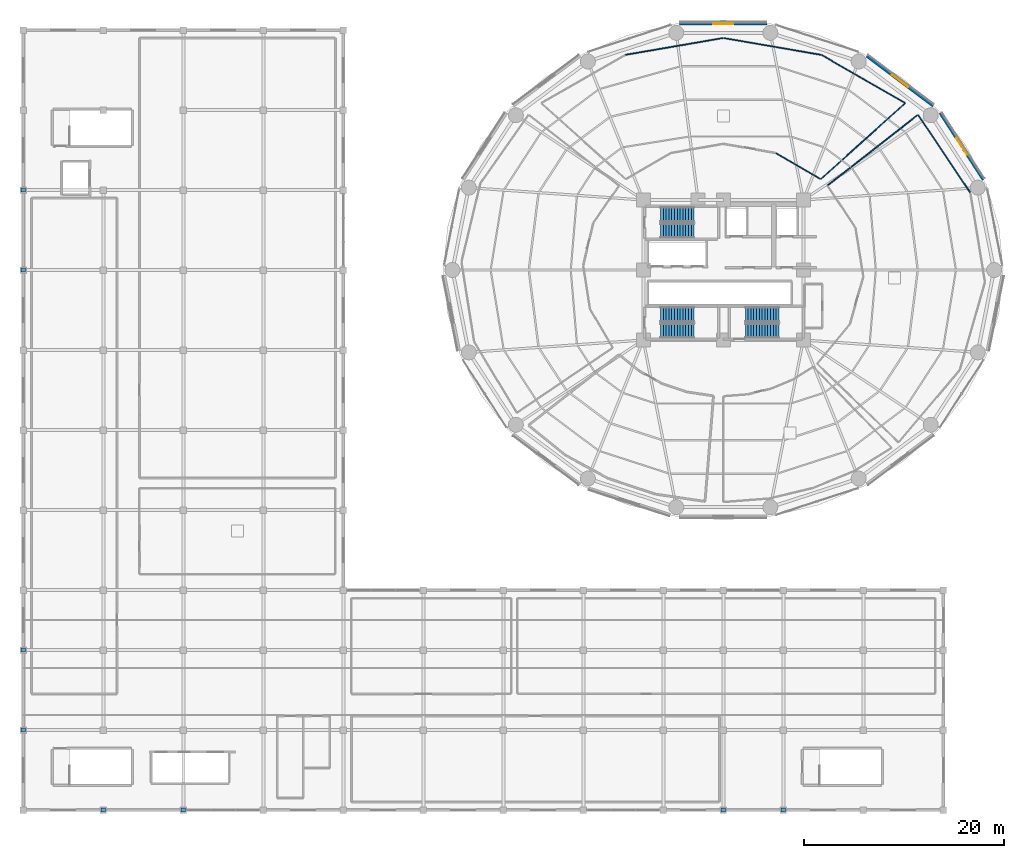
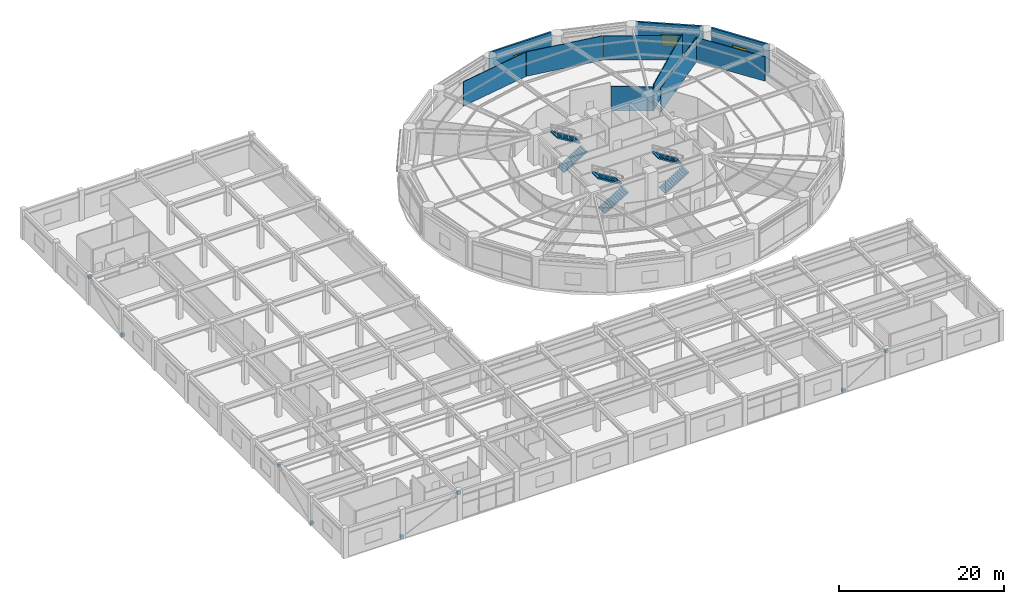
# One storey, part 41 of 46: 10 walls, 8 discrete accessories, 6 stair flights, 3 windows, 3 openings, 3 elements without a shape of their own.
"""IFC4 building model written with IfcOpenShell, lengths in metres."""

from ifc_helpers import new_model, si_unit, direction, frame, frame_2d, origin, origin_2d, place, context, subcontext, project, spatial, polyline, rectangle, outline, extrude, source, transform, mapped, material, layer, layer_set, type_object, element, fill, aggregate, save


model = new_model("IFC4")

# Units and contexts
model_context = context("Model", 3, precision=1e-05, world=origin(), true_north=direction((0.0, 1.0)))
body_context = subcontext(model_context, "Body", "Model", "MODEL_VIEW")
ifc_project = project(units=[si_unit("LENGTHUNIT", "METRE"), si_unit("AREAUNIT", "SQUARE_METRE"), si_unit("VOLUMEUNIT", "CUBIC_METRE"), si_unit("PLANEANGLEUNIT", "RADIAN"), si_unit("MASSUNIT", "GRAM", prefix="KILO")], contexts=[model_context])

# Site, building, storey
site_placement = place(None, origin())
site = spatial("IfcSite", under=ifc_project, at=site_placement, CompositionType="ELEMENT")
building_placement = place(site_placement, origin())
building = spatial("IfcBuilding", under=site, at=building_placement, Name="Kelanora Arch Commons", CompositionType="ELEMENT")
storey_placement = place(building_placement, frame((0.0, 0.0, 18.0)))
storey = spatial("IfcBuildingStorey", under=building, at=storey_placement, Name="L04", CompositionType="ELEMENT", Elevation=18.0)

# Wall, opening, window
ifc_material_1 = material(Name="Precast concrete C40/50 with terracotta rainscreen", Category="masonry")
ifc_layer_1 = layer(ifc_material_1, 0.260009765625)
ifc_layer_set_1 = layer_set([ifc_layer_1], Name="Precast concrete C40/50 with terracotta rainscreen")
wall_type_1 = type_object("IfcWallType", Name="W-EXT-TC", PredefinedType="SOLIDWALL", material=ifc_layer_set_1)
wall_1_placement = place(storey_placement, frame((99.999267578125, 67.033203125, 0.0), z_axis=(0.0, 0.0, 1.0), x_axis=(-0.543005114258, 0.839729388488, 0.0)))
wall_1 = element("IfcWall", 1, at=wall_1_placement, inside=storey, type_object=wall_type_1, Name="Terracotta Exterior Wall L04-B01", PredefinedType="SOLIDWALL", context=body_context, shape_type="SweptSolid", body=[
    extrude(rectangle(XDim=7.9375, YDim=0.260009765625, at=frame_2d((3.96875, 0.0))), origin(), (0.0, 0.0, 1.0), 4.22509765625),
])
opening_1_placement = place(wall_1_placement, frame((2.968994140625, 0.0, 0.85009765625)))
opening_1 = element("IfcOpeningElement", 2, at=opening_1_placement, cuts=wall_1, Name="Opening WN-05", PredefinedType="OPENING", context=body_context, shape_type="SweptSolid", body=[
    extrude(rectangle(XDim=2.0, YDim=1.75, at=frame_2d((1.0, 0.875))), frame((0.0, 0.14013671875, 0.0), z_axis=(0.0, -1.0, 0.0), x_axis=(1.0, 0.0, 0.0)), (0.0, 0.0, 1.0), 0.280029296875),
])
ifc_material_2 = material(Name="Terracotta-anodised aluminium podium window", Category="masonry")
window_type = type_object("IfcWindowType", Name="WIN-POD-20", PartitioningType="TRIPLE_PANEL_VERTICAL", PredefinedType="WINDOW", material=ifc_material_2)
window_1_placement = place(opening_1_placement, origin())
window_1 = element("IfcWindow", 3, at=window_1_placement, inside=storey, type_object=window_type, Name="Podium Window L04-B01", OverallHeight=1.75, OverallWidth=2.0, PartitioningType="SINGLE_PANEL", PredefinedType="WINDOW", context=body_context, shape_type="SweptSolid", body=[
    extrude(rectangle(XDim=2.0, YDim=1.75, at=frame_2d((1.0, 0.875))), frame((0.0, 0.030029296875, 0.0), z_axis=(0.0, -1.0, 0.0), x_axis=(1.0, 0.0, 0.0)), (0.0, 0.0, 1.0), 0.06005859375),
])
fill(opening_1, window_1)

wall_2_placement = place(storey_placement, frame((94.98388671875, 74.418212890625, 0.0), z_axis=(0.0, 0.0, 1.0), x_axis=(-0.80030733173, 0.599590005569, 0.0)))
wall_2 = element("IfcWall", 4, at=wall_2_placement, inside=storey, type_object=wall_type_1, Name="Terracotta Exterior Wall L04-B02", PredefinedType="SOLIDWALL", context=body_context, shape_type="SweptSolid", body=[
    extrude(rectangle(XDim=8.29052734375, YDim=0.260009765625, at=frame_2d((4.145263671875, 0.0))), origin(), (0.0, 0.0, 1.0), 4.22509765625),
])
opening_2_placement = place(wall_2_placement, frame((3.14501953125, 0.0, 0.85009765625)))
opening_2 = element("IfcOpeningElement", 5, at=opening_2_placement, cuts=wall_2, Name="Opening WN-05", PredefinedType="OPENING", context=body_context, shape_type="SweptSolid", body=[
    extrude(rectangle(XDim=2.0, YDim=1.75, at=frame_2d((1.0, 0.875))), frame((0.0, 0.14013671875, 0.0), z_axis=(0.0, -1.0, 0.0), x_axis=(1.0, 0.0, 0.0)), (0.0, 0.0, 1.0), 0.280029296875),
])
window_2_placement = place(opening_2_placement, origin())
window_2 = element("IfcWindow", 6, at=window_2_placement, inside=storey, type_object=window_type, Name="Podium Window L04-B02", OverallHeight=1.75, OverallWidth=2.0, PartitioningType="SINGLE_PANEL", PredefinedType="WINDOW", context=body_context, shape_type="SweptSolid", body=[
    extrude(rectangle(XDim=2.0, YDim=1.75, at=frame_2d((1.0, 0.875))), frame((0.0, 0.030029296875, 0.0), z_axis=(0.0, -1.0, 0.0), x_axis=(1.0, 0.0, 0.0)), (0.0, 0.0, 1.0), 0.06005859375),
])
fill(opening_2, window_2)

wall_3_placement = place(storey_placement, frame((78.35595703125, 82.6201171875, 0.0), z_axis=(0.0, 0.0, 1.0), x_axis=(-1.0, 0.0, 0.0)))
wall_3 = element("IfcWall", 7, at=wall_3_placement, inside=storey, type_object=wall_type_1, Name="Terracotta Exterior Wall L04-B04", PredefinedType="SOLIDWALL", context=body_context, shape_type="SweptSolid", body=[
    extrude(rectangle(XDim=8.7119140625, YDim=0.260009765625, at=frame_2d((4.35595703125, 0.0))), origin(), (0.0, 0.0, 1.0), 4.22509765625),
])
opening_3_placement = place(wall_3_placement, frame((3.35595703125, 0.0, 0.85009765625)))
opening_3 = element("IfcOpeningElement", 8, at=opening_3_placement, cuts=wall_3, Name="Opening WN-05", PredefinedType="OPENING", context=body_context, shape_type="SweptSolid", body=[
    extrude(rectangle(XDim=2.0, YDim=1.75, at=frame_2d((1.0, 0.875))), frame((0.0, 0.14013671875, 0.0), z_axis=(0.0, -1.0, 0.0), x_axis=(1.0, 0.0, 0.0)), (0.0, 0.0, 1.0), 0.280029296875),
])
window_3_placement = place(opening_3_placement, origin())
window_3 = element("IfcWindow", 9, at=window_3_placement, inside=storey, type_object=window_type, Name="Podium Window L04-B04", OverallHeight=1.75, OverallWidth=2.0, PartitioningType="SINGLE_PANEL", PredefinedType="WINDOW", context=body_context, shape_type="SweptSolid", body=[
    extrude(rectangle(XDim=2.0, YDim=1.75, at=frame_2d((1.0, 0.875))), frame((0.0, 0.030029296875, 0.0), z_axis=(0.0, -1.0, 0.0), x_axis=(1.0, 0.0, 0.0)), (0.0, 0.0, 1.0), 0.06005859375),
])
fill(opening_3, window_3)

# Walls
ifc_material_3 = material(Name="Lightweight fire-rated acoustic stud partition")
ifc_layer_2 = layer(ifc_material_3, 0.10009765625)
ifc_layer_set_2 = layer_set([ifc_layer_2], Name="Lightweight fire-rated acoustic stud partition")
wall_type_2 = type_object("IfcWallType", Name="W-PART-100", PredefinedType="PARTITIONING", material=ifc_layer_set_2)
wall_4_placement = place(storey_placement, frame((84.450439453125, 66.468505859375, 0.0), z_axis=(0.0, 0.0, 1.0), x_axis=(0.787637262368, 0.616139223657, 0.0)))
element("IfcWall", 10, at=wall_4_placement, inside=storey, type_object=wall_type_2, Name="Student Co-Working and Study Commons L04-A Enclosure Partition 5", PredefinedType="PARTITIONING", context=body_context, shape_type="SweptSolid", body=[
    extrude(rectangle(XDim=11.411376953125, YDim=0.10009765625, at=frame_2d((5.70556640625, 0.0))), origin(), (0.0, 0.0, 1.0), 3.625),
])
wall_5_placement = place(storey_placement, frame((93.4921875, 73.49072265625, 0.0), z_axis=(0.0, 0.0, 1.0), x_axis=(0.557691554606, -0.830048269633, 0.0)))
element("IfcWall", 11, at=wall_5_placement, inside=storey, type_object=wall_type_2, Name="Student Co-Working and Study Commons L04-A Enclosure Partition 6", PredefinedType="PARTITIONING", context=body_context, shape_type="SweptSolid", body=[
    extrude(rectangle(XDim=9.29296875, YDim=0.10009765625, at=frame_2d((4.646484375, 0.0))), origin(), (0.0, 0.0, 1.0), 3.625),
])
wall_6_placement = place(storey_placement, frame((83.70458984375, 67.09814453125, 0.0), z_axis=(0.0, 0.0, 1.0), x_axis=(-0.863300951282, 0.504689476327, 0.0)))
element("IfcWall", 12, at=wall_6_placement, inside=storey, type_object=wall_type_2, Name="Shared Student Study Commons L04-B Enclosure Partition 1", PredefinedType="PARTITIONING", context=body_context, shape_type="SweptSolid", body=[
    extrude(rectangle(XDim=5.117431640625, YDim=0.10009765625, at=frame_2d((2.55859375, 0.0))), origin(), (0.0, 0.0, 1.0), 3.625),
])
for number, where, z_axis, x_axis, name in (
    (13, (64.224365234375, 79.517822265625, 0.0), (0.0, 0.0, 1.0), (0.985517416711, 0.169574235543, 0.0), "Shared Student Study Commons L04-B Enclosure Partition 7"),
    (14, (74.039306640625, 81.193115234375, 0.0), (0.0, 0.0, 1.0), (0.985517416711, -0.169574235543, 0.0), "Shared Student Study Commons L04-B Enclosure Partition 8"),
):
    element("IfcWall", number, at=place(storey_placement, frame(where, z_axis=z_axis, x_axis=x_axis)), inside=storey, type_object=wall_type_2, Name=name, PredefinedType="PARTITIONING", context=body_context, shape_type="SweptSolid", body=[
        extrude(rectangle(XDim=9.87939453125, YDim=0.10009765625, at=frame_2d((4.939697265625, 0.0))), origin(), (0.0, 0.0, 1.0), 3.625),
    ])
wall_7_placement = place(storey_placement, frame((83.849609375, 79.4912109375, 0.0), z_axis=(0.0, 0.0, 1.0), x_axis=(0.866874132317, -0.498527069194, 0.0)))
element("IfcWall", 15, at=wall_7_placement, inside=storey, type_object=wall_type_2, Name="Shared Student Study Commons L04-B Enclosure Partition 9", PredefinedType="PARTITIONING", context=body_context, shape_type="SweptSolid", body=[
    extrude(rectangle(XDim=9.5927734375, YDim=0.10009765625, at=frame_2d((4.79638671875, 0.0))), origin(), (0.0, 0.0, 1.0), 3.625),
])
wall_8_placement = place(storey_placement, frame((92.17041015625, 74.662109375, 0.0), z_axis=(0.0, 0.0, 1.0), x_axis=(-0.743473519906, -0.668765373803, 0.0)))
element("IfcWall", 16, at=wall_8_placement, inside=storey, type_object=wall_type_2, Name="Shared Student Study Commons L04-B Enclosure Partition 10", PredefinedType="PARTITIONING", context=body_context, shape_type="SweptSolid", body=[
    extrude(rectangle(XDim=11.300537109375, YDim=0.10009765625, at=frame_2d((5.650390625, 0.0))), origin(), (0.0, 0.0, 1.0), 3.925048828125),
])

# Stair, stair flights
ifc_material_4 = material(Name="Concrete C40/50", Category="concrete")
stair_type = type_object("IfcStairType", Name="STR-DL-450", PredefinedType="HALF_TURN_STAIR", material=ifc_material_4)
stair_1_placement = place(storey_placement, origin())
stair_1 = element("IfcStair", 17, at=stair_1_placement, inside=storey, type_object=stair_type, Name="L04 ST-T1", PredefinedType="HALF_TURN_STAIR")
stair_flight_type = type_object("IfcStairFlightType", Name="FLT-DL-450", PredefinedType="STRAIGHT", material=ifc_material_4)
stair_flight_1_placement = place(storey_placement, frame((67.719970703125, 61.919921875, 0.0), z_axis=(0.0, 0.0, 1.0), x_axis=(1.0, 0.0, 0.0)))
stair_flight_1 = element("IfcStairFlight", 18, at=stair_flight_1_placement, type_object=stair_flight_type, Name="ST-T1 flight 1", NumberOfRisers=13, NumberOfTreads=12, PredefinedType="STRAIGHT", RiserHeight=0.173076923, TreadLength=0.28, context=body_context, shape_type="SweptSolid", body=[
    extrude(outline(polyline([(0.0, 0.0), (0.0, 0.173095703125), (0.280029296875, 0.173095703125), (0.280029296875, 0.34619140625), (0.56005859375, 0.34619140625), (0.56005859375, 0.519287109375), (0.840087890625, 0.519287109375), (0.840087890625, 0.6923828125), (1.1201171875, 0.6923828125), (1.1201171875, 0.865478515625), (1.39990234375, 0.865478515625), (1.39990234375, 1.03857421875), (1.679931640625, 1.03857421875), (1.679931640625, 1.21142578125), (1.9599609375, 1.21142578125), (1.9599609375, 1.384521484375), (2.239990234375, 1.384521484375), (2.239990234375, 1.5576171875), (2.52001953125, 1.5576171875), (2.52001953125, 1.730712890625), (2.800048828125, 1.730712890625), (2.800048828125, 1.90380859375), (3.080078125, 1.90380859375), (3.080078125, 2.076904296875), (3.360107421875, 2.076904296875), (3.360107421875, 2.25), (3.360107421875, 1.900634765625), (0.28515625, 0.0), (0.0, 0.0)])), frame((0.0, 0.739990234375, 0.0), z_axis=(0.0, -1.0, 0.0), x_axis=(1.0, 0.0, 0.0)), (0.0, 0.0, 1.0), 1.47998046875),
])
stair_flight_2_placement = place(storey_placement, frame((71.080078125, 63.550048828125, 2.25), z_axis=(0.0, 0.0, 1.0), x_axis=(-1.0, 0.0, 0.0)))
stair_flight_2 = element("IfcStairFlight", 19, at=stair_flight_2_placement, type_object=stair_flight_type, Name="ST-T1 flight 2", NumberOfRisers=13, NumberOfTreads=12, PredefinedType="STRAIGHT", RiserHeight=0.173076923, TreadLength=0.28, context=body_context, shape_type="SweptSolid", body=[
    extrude(outline(polyline([(0.0, 0.0), (0.0, 0.173095703125), (0.280029296875, 0.173095703125), (0.280029296875, 0.34619140625), (0.56005859375, 0.34619140625), (0.56005859375, 0.519287109375), (0.840087890625, 0.519287109375), (0.840087890625, 0.6923828125), (1.1201171875, 0.6923828125), (1.1201171875, 0.865478515625), (1.39990234375, 0.865478515625), (1.39990234375, 1.03857421875), (1.679931640625, 1.03857421875), (1.679931640625, 1.21142578125), (1.9599609375, 1.21142578125), (1.9599609375, 1.384521484375), (2.239990234375, 1.384521484375), (2.239990234375, 1.5576171875), (2.52001953125, 1.5576171875), (2.52001953125, 1.730712890625), (2.800048828125, 1.730712890625), (2.800048828125, 1.90380859375), (3.080078125, 1.90380859375), (3.080078125, 2.076904296875), (3.360107421875, 2.076904296875), (3.360107421875, 2.25), (3.360107421875, 1.900634765625), (0.28515625, 0.0), (0.0, 0.0)])), frame((0.0, 0.739990234375, 0.0), z_axis=(0.0, -1.0, 0.0), x_axis=(1.0, 0.0, 0.0)), (0.0, 0.0, 1.0), 1.47998046875),
])
aggregate(stair_1, [stair_flight_1, stair_flight_2])

stair_2_placement = place(storey_placement, origin())
stair_2 = element("IfcStair", 20, at=stair_2_placement, inside=storey, type_object=stair_type, Name="L04 ST-T2", PredefinedType="HALF_TURN_STAIR")
stair_flight_3_placement = place(storey_placement, frame((76.199951171875, 51.919921875, 0.0), z_axis=(0.0, 0.0, 1.0), x_axis=(1.0, 0.0, 0.0)))
stair_flight_3 = element("IfcStairFlight", 21, at=stair_flight_3_placement, type_object=stair_flight_type, Name="ST-T2 flight 1", NumberOfRisers=13, NumberOfTreads=12, PredefinedType="STRAIGHT", RiserHeight=0.173076923, TreadLength=0.28, context=body_context, shape_type="SweptSolid", body=[
    extrude(outline(polyline([(0.0, 0.0), (0.0, 0.173095703125), (0.280029296875, 0.173095703125), (0.280029296875, 0.34619140625), (0.56005859375, 0.34619140625), (0.56005859375, 0.519287109375), (0.840087890625, 0.519287109375), (0.840087890625, 0.6923828125), (1.1201171875, 0.6923828125), (1.1201171875, 0.865478515625), (1.39990234375, 0.865478515625), (1.39990234375, 1.03857421875), (1.679931640625, 1.03857421875), (1.679931640625, 1.21142578125), (1.9599609375, 1.21142578125), (1.9599609375, 1.384521484375), (2.239990234375, 1.384521484375), (2.239990234375, 1.5576171875), (2.52001953125, 1.5576171875), (2.52001953125, 1.730712890625), (2.800048828125, 1.730712890625), (2.800048828125, 1.90380859375), (3.080078125, 1.90380859375), (3.080078125, 2.076904296875), (3.360107421875, 2.076904296875), (3.360107421875, 2.25), (3.360107421875, 1.900634765625), (0.28515625, 0.0), (0.0, 0.0)])), frame((0.0, 0.739990234375, 0.0), z_axis=(0.0, -1.0, 0.0), x_axis=(1.0, 0.0, 0.0)), (0.0, 0.0, 1.0), 1.47998046875),
])
stair_flight_4_placement = place(storey_placement, frame((79.56005859375, 53.550048828125, 2.25), z_axis=(0.0, 0.0, 1.0), x_axis=(-1.0, 0.0, 0.0)))
stair_flight_4 = element("IfcStairFlight", 22, at=stair_flight_4_placement, type_object=stair_flight_type, Name="ST-T2 flight 2", NumberOfRisers=13, NumberOfTreads=12, PredefinedType="STRAIGHT", RiserHeight=0.173076923, TreadLength=0.28, context=body_context, shape_type="SweptSolid", body=[
    extrude(outline(polyline([(0.0, 0.0), (0.0, 0.173095703125), (0.280029296875, 0.173095703125), (0.280029296875, 0.34619140625), (0.56005859375, 0.34619140625), (0.56005859375, 0.519287109375), (0.840087890625, 0.519287109375), (0.840087890625, 0.6923828125), (1.1201171875, 0.6923828125), (1.1201171875, 0.865478515625), (1.39990234375, 0.865478515625), (1.39990234375, 1.03857421875), (1.679931640625, 1.03857421875), (1.679931640625, 1.21142578125), (1.9599609375, 1.21142578125), (1.9599609375, 1.384521484375), (2.239990234375, 1.384521484375), (2.239990234375, 1.5576171875), (2.52001953125, 1.5576171875), (2.52001953125, 1.730712890625), (2.800048828125, 1.730712890625), (2.800048828125, 1.90380859375), (3.080078125, 1.90380859375), (3.080078125, 2.076904296875), (3.360107421875, 2.076904296875), (3.360107421875, 2.25), (3.360107421875, 1.900634765625), (0.28515625, 0.0), (0.0, 0.0)])), frame((0.0, 0.739990234375, 0.0), z_axis=(0.0, -1.0, 0.0), x_axis=(1.0, 0.0, 0.0)), (0.0, 0.0, 1.0), 1.47998046875),
])
aggregate(stair_2, [stair_flight_3, stair_flight_4])

stair_3_placement = place(storey_placement, origin())
stair_3 = element("IfcStair", 23, at=stair_3_placement, inside=storey, type_object=stair_type, Name="L04 ST-T3", PredefinedType="HALF_TURN_STAIR")
stair_flight_5_placement = place(storey_placement, frame((67.719970703125, 51.919921875, 0.0), z_axis=(0.0, 0.0, 1.0), x_axis=(1.0, 0.0, 0.0)))
stair_flight_5 = element("IfcStairFlight", 24, at=stair_flight_5_placement, type_object=stair_flight_type, Name="ST-T3 flight 1", NumberOfRisers=13, NumberOfTreads=12, PredefinedType="STRAIGHT", RiserHeight=0.173076923, TreadLength=0.28, context=body_context, shape_type="SweptSolid", body=[
    extrude(outline(polyline([(0.0, 0.0), (0.0, 0.173095703125), (0.280029296875, 0.173095703125), (0.280029296875, 0.34619140625), (0.56005859375, 0.34619140625), (0.56005859375, 0.519287109375), (0.840087890625, 0.519287109375), (0.840087890625, 0.6923828125), (1.1201171875, 0.6923828125), (1.1201171875, 0.865478515625), (1.39990234375, 0.865478515625), (1.39990234375, 1.03857421875), (1.679931640625, 1.03857421875), (1.679931640625, 1.21142578125), (1.9599609375, 1.21142578125), (1.9599609375, 1.384521484375), (2.239990234375, 1.384521484375), (2.239990234375, 1.5576171875), (2.52001953125, 1.5576171875), (2.52001953125, 1.730712890625), (2.800048828125, 1.730712890625), (2.800048828125, 1.90380859375), (3.080078125, 1.90380859375), (3.080078125, 2.076904296875), (3.360107421875, 2.076904296875), (3.360107421875, 2.25), (3.360107421875, 1.900634765625), (0.28515625, 0.0), (0.0, 0.0)])), frame((0.0, 0.739990234375, 0.0), z_axis=(0.0, -1.0, 0.0), x_axis=(1.0, 0.0, 0.0)), (0.0, 0.0, 1.0), 1.47998046875),
])
stair_flight_6_placement = place(storey_placement, frame((71.080078125, 53.550048828125, 2.25), z_axis=(0.0, 0.0, 1.0), x_axis=(-1.0, 0.0, 0.0)))
stair_flight_6 = element("IfcStairFlight", 25, at=stair_flight_6_placement, type_object=stair_flight_type, Name="ST-T3 flight 2", NumberOfRisers=13, NumberOfTreads=12, PredefinedType="STRAIGHT", RiserHeight=0.173076923, TreadLength=0.28, context=body_context, shape_type="SweptSolid", body=[
    extrude(outline(polyline([(0.0, 0.0), (0.0, 0.173095703125), (0.280029296875, 0.173095703125), (0.280029296875, 0.34619140625), (0.56005859375, 0.34619140625), (0.56005859375, 0.519287109375), (0.840087890625, 0.519287109375), (0.840087890625, 0.6923828125), (1.1201171875, 0.6923828125), (1.1201171875, 0.865478515625), (1.39990234375, 0.865478515625), (1.39990234375, 1.03857421875), (1.679931640625, 1.03857421875), (1.679931640625, 1.21142578125), (1.9599609375, 1.21142578125), (1.9599609375, 1.384521484375), (2.239990234375, 1.384521484375), (2.239990234375, 1.5576171875), (2.52001953125, 1.5576171875), (2.52001953125, 1.730712890625), (2.800048828125, 1.730712890625), (2.800048828125, 1.90380859375), (3.080078125, 1.90380859375), (3.080078125, 2.076904296875), (3.360107421875, 2.076904296875), (3.360107421875, 2.25), (3.360107421875, 1.900634765625), (0.28515625, 0.0), (0.0, 0.0)])), frame((0.0, 0.739990234375, 0.0), z_axis=(0.0, -1.0, 0.0), x_axis=(1.0, 0.0, 0.0)), (0.0, 0.0, 1.0), 1.47998046875),
])
aggregate(stair_3, [stair_flight_5, stair_flight_6])

# Discrete accessories
ifc_material_5 = material(Name="Steel S355", Category="steel")
discrete_accessory_type = type_object("IfcDiscreteAccessoryType", Name="ACC-BRC-CONN", PredefinedType="BRACKET", material=ifc_material_5)
shared_shape = source(origin(), body_context, "Body", "SweptSolid", [
    extrude(rectangle(XDim=0.419921875, YDim=0.419921875, at=origin_2d()), origin(), (0.0, 0.0, 1.0), 0.419921875),
])
for number, where, z_axis, x_axis, name in (
    (26, (12.0, 4.0, 0.0400390625), (0.0, 0.0, 1.0), (1.0, 0.0, 0.0), "Brace and Strut Gusset End Connection 0041"),
    (27, (20.0, 4.0, 3.780029296875), (0.0, 0.0, 1.0), (1.0, 0.0, 0.0), "Brace and Strut Gusset End Connection 0042"),
    (28, (74.0, 4.0, 0.0400390625), (0.0, 0.0, 1.0), (1.0, 0.0, 0.0), "Brace and Strut Gusset End Connection 0043"),
    (29, (80.0, 4.0, 3.780029296875), (0.0, 0.0, 1.0), (1.0, 0.0, 0.0), "Brace and Strut Gusset End Connection 0044"),
    (30, (4.0, 12.0, 0.0400390625), (0.0, 0.0, 1.0), (0.0, 1.0, 0.0), "Brace and Strut Gusset End Connection 0045"),
    (31, (4.0, 20.0, 3.780029296875), (0.0, 0.0, 1.0), (0.0, 1.0, 0.0), "Brace and Strut Gusset End Connection 0046"),
    (32, (4.0, 58.0, 0.0400390625), (0.0, 0.0, 1.0), (0.0, 1.0, 0.0), "Brace and Strut Gusset End Connection 0047"),
    (33, (4.0, 66.0, 3.780029296875), (0.0, 0.0, 1.0), (0.0, 1.0, 0.0), "Brace and Strut Gusset End Connection 0048"),
):
    element("IfcDiscreteAccessory", number, at=place(storey_placement, frame(where, z_axis=z_axis, x_axis=x_axis)), inside=storey, type_object=discrete_accessory_type, Name=name, PredefinedType="BRACKET", context=body_context, shape_type="MappedRepresentation", body=[
        mapped(shared_shape, transform((0.0, 0.0, 0.0), scale=1.0)),
    ])

save(model, "model.ifc")
